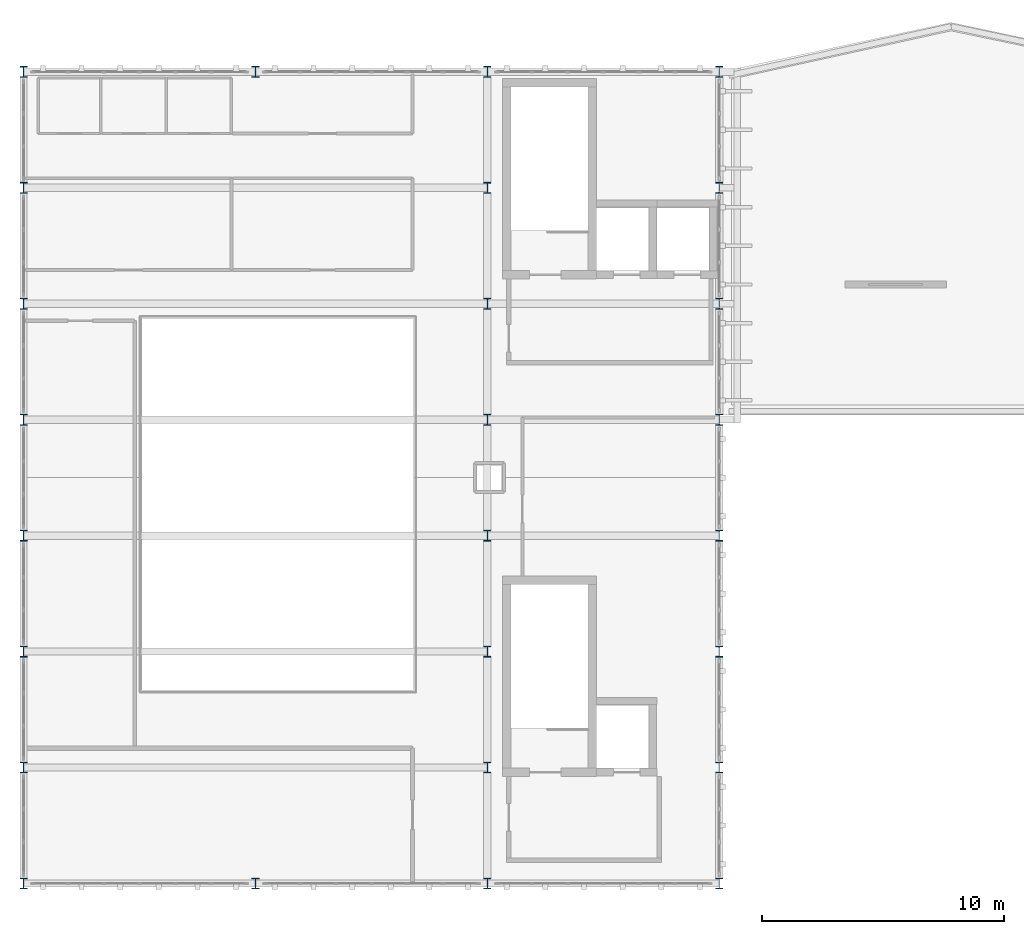
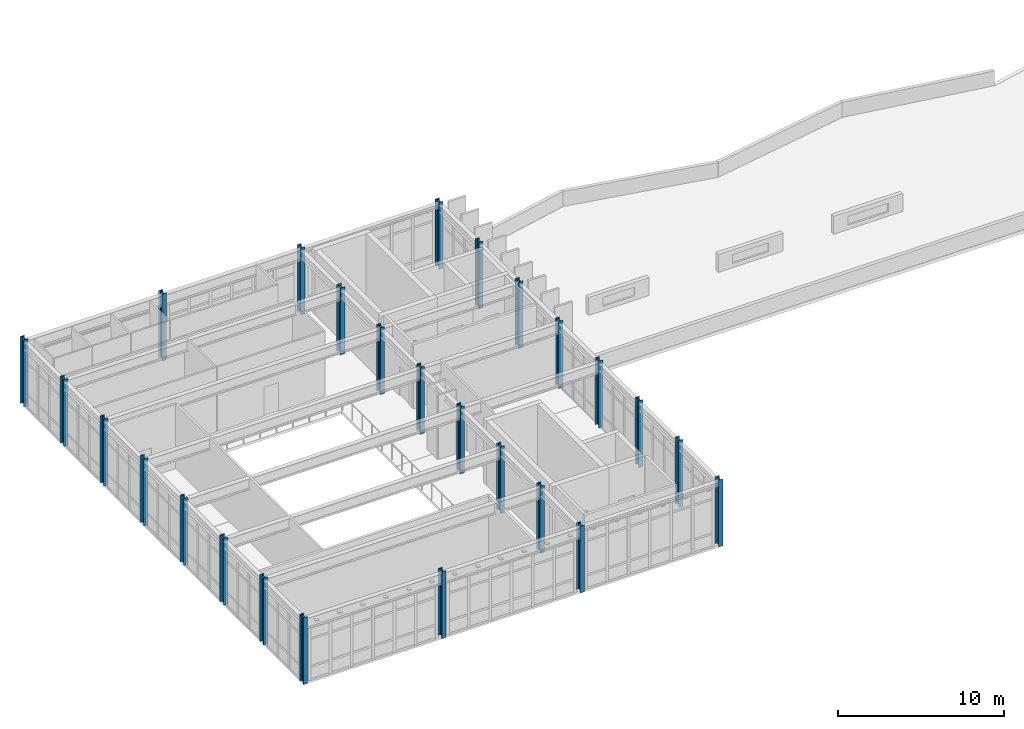
# One storey, part 1 of 16: 26 columns.
"""IFC4 building model written with IfcOpenShell, lengths in metres."""

from ifc_helpers import new_model, si_unit, direction, frame, origin, origin_2d, place, context, subcontext, project, spatial, i_section, extrude, material, material_profile, profile_set, type_object, element, save


model = new_model("IFC4")

# Units and contexts
model_context = context("Model", 3, precision=1e-05, world=origin(), true_north=direction((0.0, 1.0)))
body_context = subcontext(model_context, "Body", "Model", "MODEL_VIEW")
ifc_project = project(units=[si_unit("LENGTHUNIT", "METRE"), si_unit("AREAUNIT", "SQUARE_METRE"), si_unit("VOLUMEUNIT", "CUBIC_METRE"), si_unit("PLANEANGLEUNIT", "RADIAN"), si_unit("MASSUNIT", "GRAM", prefix="KILO")], contexts=[model_context])

# Site, building, storey
site_placement = place(None, origin())
site = spatial("IfcSite", under=ifc_project, at=site_placement, CompositionType="ELEMENT")
building_placement = place(site_placement, origin())
building = spatial("IfcBuilding", under=site, at=building_placement, Name="Nordkorset Police Headquarters", CompositionType="ELEMENT")
storey_placement = place(building_placement, frame((0.0, 0.0, 31.14990234375)))
storey = spatial("IfcBuildingStorey", under=building, at=storey_placement, Name="L07", CompositionType="ELEMENT", Elevation=31.14990234375)

# Columns
ifc_material = material(Name="Steel S355J2", Category="steel")
ifc_material_profile = material_profile(ifc_material, i_section(OverallWidth=0.300048828125, OverallDepth=0.449951171875, WebThickness=0.013916015625, FlangeThickness=0.02587890625, FilletRadius=0.027099609375, at=origin_2d()), Name="HEB 450")
ifc_profile_set = profile_set([ifc_material_profile], Name="Steel S355J2")
column_type = type_object("IfcColumnType", Name="Col_HEB_450", PredefinedType="COLUMN", material=ifc_profile_set)
for number, where, z_axis, x_axis, name in (
    (1, (0.0, 83.199951171875, 0.0), (0.0, 0.0, 1.0), (1.0, 0.0, 0.0), "Structural Column V1_W_0 L07"),
    (2, (28.800048828125, 83.199951171875, 0.0), (0.0, 0.0, 1.0), (1.0, 0.0, 0.0), "Structural Column V1_E_0 L07"),
    (3, (0.0, 88.0, 0.0), (0.0, 0.0, 1.0), (1.0, 0.0, 0.0), "Structural Column V1_W_1 L07"),
    (4, (28.800048828125, 88.0, 0.0), (0.0, 0.0, 1.0), (1.0, 0.0, 0.0), "Structural Column V1_E_1 L07"),
    (5, (0.0, 92.800048828125, 0.0), (0.0, 0.0, 1.0), (1.0, 0.0, 0.0), "Structural Column V1_W_2 L07"),
    (6, (28.800048828125, 92.800048828125, 0.0), (0.0, 0.0, 1.0), (1.0, 0.0, 0.0), "Structural Column V1_E_2 L07"),
    (7, (0.0, 97.60009765625, 0.0), (0.0, 0.0, 1.0), (1.0, 0.0, 0.0), "Structural Column V1_W_3 L07"),
    (8, (28.800048828125, 97.60009765625, 0.0), (0.0, 0.0, 1.0), (1.0, 0.0, 0.0), "Structural Column V1_E_3 L07"),
    (9, (0.0, 102.39990234375, 0.0), (0.0, 0.0, 1.0), (1.0, 0.0, 0.0), "Structural Column V1_W_4 L07"),
    (10, (28.800048828125, 102.39990234375, 0.0), (0.0, 0.0, 1.0), (1.0, 0.0, 0.0), "Structural Column V1_E_4 L07"),
    (11, (0.0, 107.199951171875, 0.0), (0.0, 0.0, 1.0), (1.0, 0.0, 0.0), "Structural Column V1_W_5 L07"),
    (12, (28.800048828125, 107.199951171875, 0.0), (0.0, 0.0, 1.0), (1.0, 0.0, 0.0), "Structural Column V1_E_5 L07"),
    (13, (0.0, 112.0, 0.0), (0.0, 0.0, 1.0), (1.0, 0.0, 0.0), "Structural Column V1_W_6 L07"),
    (14, (28.800048828125, 112.0, 0.0), (0.0, 0.0, 1.0), (1.0, 0.0, 0.0), "Structural Column V1_E_6 L07"),
    (15, (0.0, 116.800048828125, 0.0), (0.0, 0.0, 1.0), (1.0, 0.0, 0.0), "Structural Column V1_W_7 L07"),
    (16, (28.800048828125, 116.800048828125, 0.0), (0.0, 0.0, 1.0), (1.0, 0.0, 0.0), "Structural Column V1_E_7 L07"),
    (17, (9.60009765625, 83.199951171875, 0.0), (0.0, 0.0, 1.0), (1.0, 0.0, 0.0), "Structural Column V1_S_0 L07"),
    (18, (9.60009765625, 116.800048828125, 0.0), (0.0, 0.0, 1.0), (1.0, 0.0, 0.0), "Structural Column V1_N_0 L07"),
    (19, (19.199951171875, 83.199951171875, 0.0), (0.0, 0.0, 1.0), (1.0, 0.0, 0.0), "Structural Column V1_S_1 L07"),
    (20, (19.199951171875, 116.800048828125, 0.0), (0.0, 0.0, 1.0), (1.0, 0.0, 0.0), "Structural Column V1_N_1 L07"),
    (21, (19.199951171875, 88.0, 0.0), (0.0, 0.0, 1.0), (1.0, 0.0, 0.0), "Structural Column V1_CW_0 L07"),
    (22, (19.199951171875, 92.800048828125, 0.0), (0.0, 0.0, 1.0), (1.0, 0.0, 0.0), "Structural Column V1_CW_1 L07"),
    (23, (19.199951171875, 97.60009765625, 0.0), (0.0, 0.0, 1.0), (1.0, 0.0, 0.0), "Structural Column V1_CW_2 L07"),
    (24, (19.199951171875, 102.39990234375, 0.0), (0.0, 0.0, 1.0), (1.0, 0.0, 0.0), "Structural Column V1_CW_3 L07"),
    (25, (19.199951171875, 107.199951171875, 0.0), (0.0, 0.0, 1.0), (1.0, 0.0, 0.0), "Structural Column V1_CW_4 L07"),
    (26, (19.199951171875, 112.0, 0.0), (0.0, 0.0, 1.0), (1.0, 0.0, 0.0), "Structural Column V1_CW_5 L07"),
):
    element("IfcColumn", number, at=place(storey_placement, frame(where, z_axis=z_axis, x_axis=x_axis)), inside=storey, type_object=column_type, Name=name, PredefinedType="COLUMN", context=body_context, shape_type="SweptSolid", body=[
        extrude(i_section(OverallWidth=0.300048828125, OverallDepth=0.449951171875, WebThickness=0.013916015625, FlangeThickness=0.02587890625, FilletRadius=0.027099609375, at=origin_2d()), origin(), (0.0, 0.0, 1.0), 4.900146484375),
    ])

save(model, "model.ifc")
